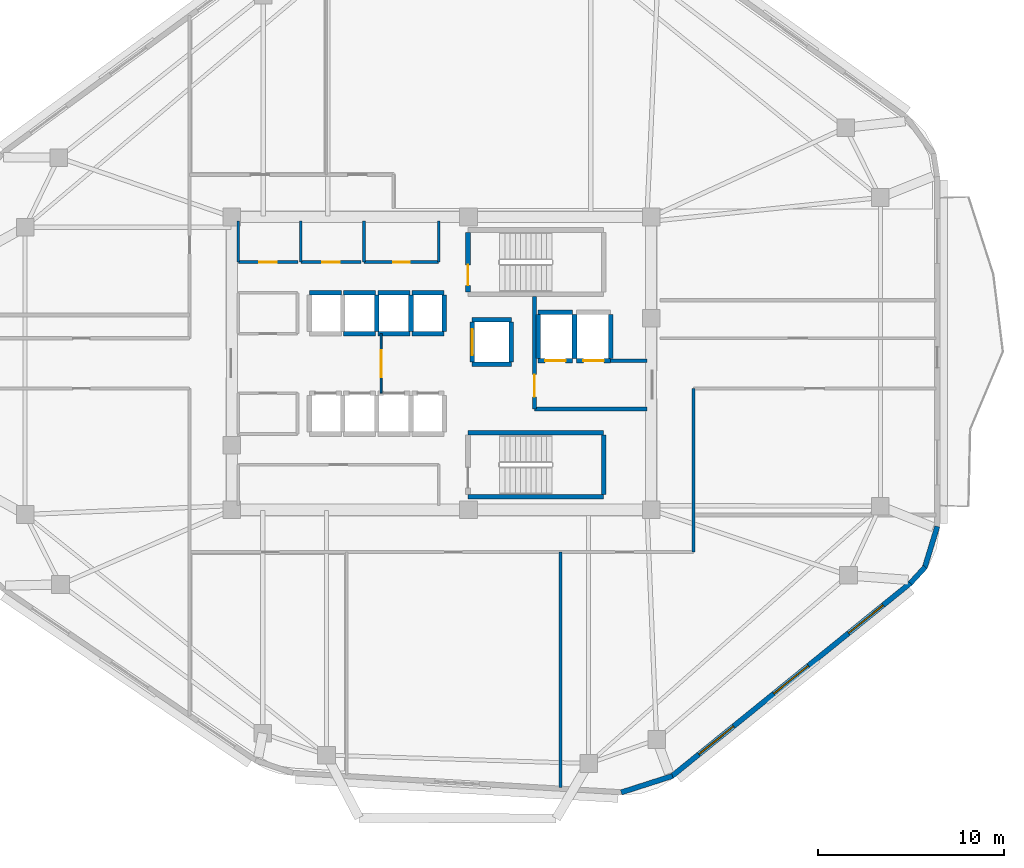
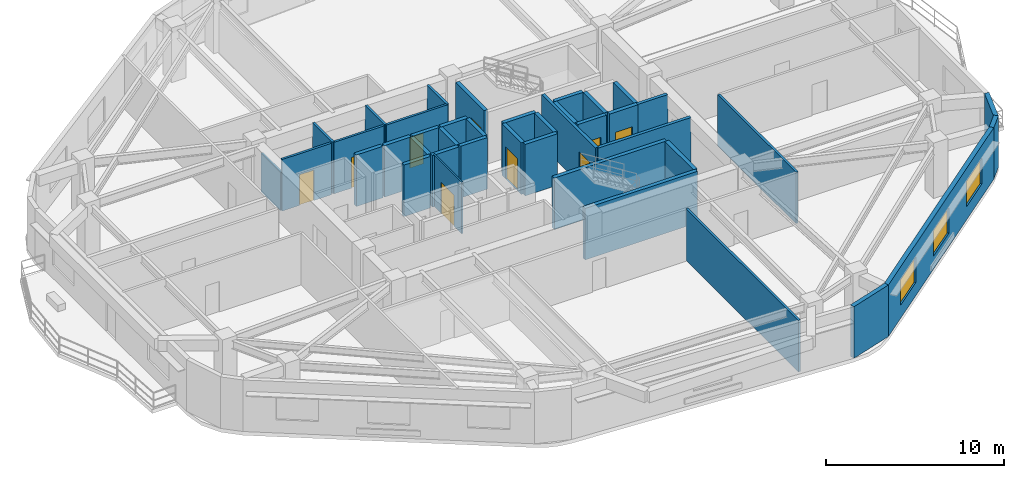
# One storey, part 4 of 9: 41 walls, 9 doors, 3 windows, 12 openings.
"""IFC4 building model written with IfcOpenShell, lengths in metres."""

from ifc_helpers import new_model, si_unit, direction, frame, frame_2d, origin, place, context, subcontext, project, spatial, rectangle, extrude, material, layer, layer_set, type_object, element, fill, save


model = new_model("IFC4")

# Units and contexts
model_context = context("Model", 3, precision=1e-05, world=origin(), true_north=direction((0.0, 1.0)))
body_context = subcontext(model_context, "Body", "Model", "MODEL_VIEW")
ifc_project = project(units=[si_unit("LENGTHUNIT", "METRE"), si_unit("AREAUNIT", "SQUARE_METRE"), si_unit("VOLUMEUNIT", "CUBIC_METRE"), si_unit("PLANEANGLEUNIT", "RADIAN"), si_unit("MASSUNIT", "GRAM", prefix="KILO")], contexts=[model_context])

# Site, building, storey
site_placement = place(None, origin())
site = spatial("IfcSite", under=ifc_project, at=site_placement, CompositionType="ELEMENT")
building_placement = place(site_placement, origin())
building = spatial("IfcBuilding", under=site, at=building_placement, Name="Zulverin Broadcast Headquarters", CompositionType="ELEMENT")
storey_placement = place(building_placement, frame((0.0, 0.0, 197.199951171875)))
storey = spatial("IfcBuildingStorey", under=building, at=storey_placement, Name="L50", CompositionType="ELEMENT", Elevation=197.199951171875)

# Wall, openings, windows
ifc_material_1 = material(Name="Insulated pale-metal clad concrete spandrel C40/50", Category="concrete")
ifc_layer_1 = layer(ifc_material_1, 0.280029296875, Name="Insulated pale-metal clad concrete spandrel C40/50", Category="concrete")
ifc_layer_set_1 = layer_set([ifc_layer_1], Name="Insulated pale-metal clad concrete spandrel C40/50")
wall_type_1 = type_object("IfcWallType", Name="WL-EXT-280", PredefinedType="STANDARD", material=ifc_layer_set_1)
wall_1_placement = place(storey_placement, frame((49.372314453125, 2.98388671875, 0.0), z_axis=(0.0, 0.0, 1.0), x_axis=(0.777278899851, 0.629156190343, 0.0)))
wall_1 = element("IfcWall", 1, at=wall_1_placement, inside=storey, type_object=wall_type_1, Name="L50 Pale-Metal Clad Spandrel Wall 2", PredefinedType="STANDARD", context=body_context, shape_type="SweptSolid", body=[
    extrude(rectangle(XDim=16.5400390625, YDim=0.280029296875, at=frame_2d((8.27001953125, 0.0))), origin(), (0.0, 0.0, 1.0), 3.5400390625),
])
opening_1_placement = place(wall_1_placement, frame((1.889892578125, 0.0, 0.89990234375)))
opening_1 = element("IfcOpeningElement", 2, at=opening_1_placement, cuts=wall_1, Name="Opening W-L50-E21", PredefinedType="OPENING", context=body_context, shape_type="SweptSolid", body=[
    extrude(rectangle(XDim=2.39990234375, YDim=1.75, at=frame_2d((1.199951171875, 0.875))), frame((0.0, 0.14990234375, 0.0), z_axis=(0.0, -1.0, 0.0), x_axis=(1.0, 0.0, 0.0)), (0.0, 0.0, 1.0), 0.300048828125),
])
opening_2_placement = place(wall_1_placement, frame((7.070068359375, 0.0, 0.89990234375)))
opening_2 = element("IfcOpeningElement", 3, at=opening_2_placement, cuts=wall_1, Name="Opening W-L50-E22", PredefinedType="OPENING", context=body_context, shape_type="SweptSolid", body=[
    extrude(rectangle(XDim=2.39990234375, YDim=1.75, at=frame_2d((1.199951171875, 0.875))), frame((0.0, 0.14990234375, 0.0), z_axis=(0.0, -1.0, 0.0), x_axis=(1.0, 0.0, 0.0)), (0.0, 0.0, 1.0), 0.300048828125),
])
opening_3_placement = place(wall_1_placement, frame((12.25, 0.0, 0.89990234375)))
opening_3 = element("IfcOpeningElement", 4, at=opening_3_placement, cuts=wall_1, Name="Opening W-L50-E23", PredefinedType="OPENING", context=body_context, shape_type="SweptSolid", body=[
    extrude(rectangle(XDim=2.39990234375, YDim=1.75, at=frame_2d((1.199951171875, 0.875))), frame((0.0, 0.14990234375, 0.0), z_axis=(0.0, -1.0, 0.0), x_axis=(1.0, 0.0, 0.0)), (0.0, 0.0, 1.0), 0.300048828125),
])
ifc_material_2 = material(Name="Pale anodized aluminium frame with solar-control low-E double glazing", Category="aluminium")
window_type = type_object("IfcWindowType", Name="WIN-RIB-2400", PartitioningType="SINGLE_PANEL", PredefinedType="WINDOW", material=ifc_material_2)
window_1_placement = place(opening_1_placement, origin())
window_1 = element("IfcWindow", 5, at=window_1_placement, inside=storey, type_object=window_type, Name="L50 Ribbon Glazing Window 2 1", OverallHeight=1.75, OverallWidth=2.39990234375, PartitioningType="SINGLE_PANEL", PredefinedType="WINDOW", context=body_context, shape_type="SweptSolid", body=[
    extrude(rectangle(XDim=2.39990234375, YDim=1.75, at=frame_2d((1.199951171875, 0.875))), frame((0.0, 0.030029296875, 0.0), z_axis=(0.0, -1.0, 0.0), x_axis=(1.0, 0.0, 0.0)), (0.0, 0.0, 1.0), 0.06005859375),
])
fill(opening_1, window_1)
window_2_placement = place(opening_2_placement, origin())
window_2 = element("IfcWindow", 6, at=window_2_placement, inside=storey, type_object=window_type, Name="L50 Ribbon Glazing Window 2 2", OverallHeight=1.75, OverallWidth=2.39990234375, PartitioningType="SINGLE_PANEL", PredefinedType="WINDOW", context=body_context, shape_type="SweptSolid", body=[
    extrude(rectangle(XDim=2.39990234375, YDim=1.75, at=frame_2d((1.199951171875, 0.875))), frame((0.0, 0.030029296875, 0.0), z_axis=(0.0, -1.0, 0.0), x_axis=(1.0, 0.0, 0.0)), (0.0, 0.0, 1.0), 0.06005859375),
])
fill(opening_2, window_2)
window_3_placement = place(opening_3_placement, origin())
window_3 = element("IfcWindow", 7, at=window_3_placement, inside=storey, type_object=window_type, Name="L50 Ribbon Glazing Window 2 3", OverallHeight=1.75, OverallWidth=2.39990234375, PartitioningType="SINGLE_PANEL", PredefinedType="WINDOW", context=body_context, shape_type="SweptSolid", body=[
    extrude(rectangle(XDim=2.39990234375, YDim=1.75, at=frame_2d((1.199951171875, 0.875))), frame((0.0, 0.030029296875, 0.0), z_axis=(0.0, -1.0, 0.0), x_axis=(1.0, 0.0, 0.0)), (0.0, 0.0, 1.0), 0.06005859375),
])
fill(opening_3, window_3)

# Walls
wall_2_placement = place(storey_placement, frame((46.666259765625, 2.124267578125, 0.0), z_axis=(0.0, 0.0, 1.0), x_axis=(0.952065470694, 0.305894327363, 0.0)))
element("IfcWall", 8, at=wall_2_placement, inside=storey, type_object=wall_type_1, Name="L50 Wind-Shaped Corner Spandrel Wall 1-1", PredefinedType="STANDARD", context=body_context, shape_type="SweptSolid", body=[
    extrude(rectangle(XDim=2.889892578125, YDim=0.280029296875, at=frame_2d((1.44482421875, 0.0))), origin(), (0.0, 0.0, 1.0), 3.5400390625),
])
wall_3_placement = place(storey_placement, frame((62.21337890625, 13.3759765625, 0.0), z_axis=(0.0, 0.0, 1.0), x_axis=(0.675790054291, 0.737094161232, 0.0)))
element("IfcWall", 9, at=wall_3_placement, inside=storey, type_object=wall_type_1, Name="L50 Wind-Shaped Corner Spandrel Wall 2-1", PredefinedType="STANDARD", context=body_context, shape_type="SweptSolid", body=[
    extrude(rectangle(XDim=1.182861328125, YDim=0.280029296875, at=frame_2d((0.59130859375, 0.0))), origin(), (0.0, 0.0, 1.0), 3.5400390625),
])
wall_4_placement = place(storey_placement, frame((62.98193359375, 14.194091796875, 0.0), z_axis=(0.0, 0.0, 1.0), x_axis=(0.292398811023, 0.956296468315, 0.0)))
element("IfcWall", 10, at=wall_4_placement, inside=storey, type_object=wall_type_1, Name="L50 Wind-Shaped Corner Spandrel Wall 2-2", PredefinedType="STANDARD", context=body_context, shape_type="SweptSolid", body=[
    extrude(rectangle(XDim=2.339599609375, YDim=0.280029296875, at=frame_2d((1.169921875, 0.0))), origin(), (0.0, 0.0, 1.0), 3.5400390625),
])

# Wall, opening, door
ifc_material_3 = material(Name="Concrete C40/50", Category="concrete")
ifc_layer_2 = layer(ifc_material_3, 0.199951171875, Name="Concrete C40/50", Category="concrete")
ifc_layer_set_2 = layer_set([ifc_layer_2], Name="Concrete C40/50")
wall_type_2 = type_object("IfcWallType", Name="WL-FFL-200", PredefinedType="SOLIDWALL", material=ifc_layer_set_2)
wall_5_placement = place(storey_placement, frame((42.0, 22.75, 0.0), z_axis=(0.0, 0.0, 1.0), x_axis=(0.0, 1.0, 0.0)))
wall_5 = element("IfcWall", 11, at=wall_5_placement, inside=storey, type_object=wall_type_2, Name="L50 Firefighting Lift Lobby West Wall", PredefinedType="SOLIDWALL", context=body_context, shape_type="SweptSolid", body=[
    extrude(rectangle(XDim=6.050048828125, YDim=0.199951171875, at=frame_2d((3.02490234375, 0.0))), origin(), (0.0, 0.0, 1.0), 3.5400390625),
])
opening_4_placement = place(wall_5_placement, frame((0.64990234375, 0.0, 0.0)))
opening_4 = element("IfcOpeningElement", 12, at=opening_4_placement, cuts=wall_5, Name="Opening D-L50-FFLW", PredefinedType="OPENING", context=body_context, shape_type="SweptSolid", body=[
    extrude(rectangle(XDim=1.199951171875, YDim=2.14990234375, at=frame_2d((0.60009765625, 1.074951171875))), frame((0.0, 0.10986328125, 0.0), z_axis=(0.0, -1.0, 0.0), x_axis=(1.0, 0.0, 0.0)), (0.0, 0.0, 1.0), 0.219970703125),
])
ifc_material_4 = material(Name="Fire-rated steel leaf and frame", Category="steel")
door_type_1 = type_object("IfcDoorType", Name="DR-FFL-1200", OperationType="SINGLE_SWING_RIGHT", PredefinedType="DOOR", material=ifc_material_4)
door_1_placement = place(opening_4_placement, origin())
door_1 = element("IfcDoor", 13, at=door_1_placement, inside=storey, type_object=door_type_1, Name="L50 Firefighting Lift Lobby Door", OperationType="SINGLE_SWING_RIGHT", OverallHeight=2.14990234375, OverallWidth=1.199951171875, PredefinedType="DOOR", context=body_context, shape_type="SweptSolid", body=[
    extrude(rectangle(XDim=1.199951171875, YDim=2.14990234375, at=frame_2d((0.60009765625, 1.074951171875))), frame((0.0, 0.02490234375, 0.0), z_axis=(0.0, -1.0, 0.0), x_axis=(1.0, 0.0, 0.0)), (0.0, 0.0, 1.0), 0.050048828125),
])
fill(opening_4, door_1)

# Walls
wall_6_placement = place(storey_placement, frame((42.0, 22.75, 0.0), z_axis=(0.0, 0.0, 1.0), x_axis=(1.0, 0.0, 0.0)))
element("IfcWall", 14, at=wall_6_placement, inside=storey, type_object=wall_type_2, Name="L50 Firefighting Lift Lobby South Wall", PredefinedType="SOLIDWALL", context=body_context, shape_type="SweptSolid", body=[
    extrude(rectangle(XDim=6.050048828125, YDim=0.199951171875, at=frame_2d((3.02490234375, 0.0))), origin(), (0.0, 0.0, 1.0), 3.5400390625),
])
wall_7_placement = place(storey_placement, frame((46.10009765625, 25.35009765625, 0.0), z_axis=(0.0, 0.0, 1.0), x_axis=(1.0, 0.0, 0.0)))
element("IfcWall", 15, at=wall_7_placement, inside=storey, type_object=wall_type_2, Name="L50 Firefighting Lift Lobby North Wall", PredefinedType="SOLIDWALL", context=body_context, shape_type="SweptSolid", body=[
    extrude(rectangle(XDim=1.949951171875, YDim=0.199951171875, at=frame_2d((0.97509765625, 0.0))), origin(), (0.0, 0.0, 1.0), 3.5400390625),
])

# Wall, opening, door
ifc_material_5 = material(Name="Fire-rated acoustic laminated glass screen", Category="glass")
ifc_layer_3 = layer(ifc_material_5, 0.10009765625, Name="Fire-rated acoustic laminated glass screen", Category="glass")
ifc_layer_set_3 = layer_set([ifc_layer_3], Name="Fire-rated acoustic laminated glass screen")
wall_type_3 = type_object("IfcWallType", Name="WL-GLAZ-100", PredefinedType="PARTITIONING", material=ifc_layer_set_3)
wall_8_placement = place(storey_placement, frame((33.75, 23.60009765625, 0.0), z_axis=(0.0, 0.0, 1.0), x_axis=(0.0, 1.0, 0.0)))
wall_8 = element("IfcWall", 16, at=wall_8_placement, inside=storey, type_object=wall_type_3, Name="L50 Core Lobby Acoustic Screen", PredefinedType="PARTITIONING", context=body_context, shape_type="SweptSolid", body=[
    extrude(rectangle(XDim=3.199951171875, YDim=0.10009765625, at=frame_2d((1.60009765625, 0.0))), origin(), (0.0, 0.0, 1.0), 3.5400390625),
])
opening_5_placement = place(wall_8_placement, frame((0.85009765625, 0.0, 0.0)))
opening_5 = element("IfcOpeningElement", 17, at=opening_5_placement, cuts=wall_8, Name="Opening D-L50-CL1", PredefinedType="OPENING", context=body_context, shape_type="SweptSolid", body=[
    extrude(rectangle(XDim=1.449951171875, YDim=2.1201171875, at=frame_2d((0.72509765625, 1.06005859375))), frame((0.0, 0.06005859375, 0.0), z_axis=(0.0, -1.0, 0.0), x_axis=(1.0, 0.0, 0.0)), (0.0, 0.0, 1.0), 0.1201171875),
])
ifc_material_6 = material(Name="Fire-rated acoustic glazed double leaf", Category="glass")
door_type_2 = type_object("IfcDoorType", Name="DR-GLZ-1450", OperationType="DOUBLE_DOOR_SINGLE_SWING", PredefinedType="DOOR", material=ifc_material_6)
door_2_placement = place(opening_5_placement, origin())
door_2 = element("IfcDoor", 18, at=door_2_placement, inside=storey, type_object=door_type_2, Name="L50 Core Lobby Vestibule Door", OperationType="DOUBLE_DOOR_SINGLE_SWING", OverallHeight=2.1201171875, OverallWidth=1.449951171875, PredefinedType="DOOR", context=body_context, shape_type="SweptSolid", body=[
    extrude(rectangle(XDim=1.449951171875, YDim=2.1201171875, at=frame_2d((0.72509765625, 1.06005859375))), frame((0.0, 0.02490234375, 0.0), z_axis=(0.0, -1.0, 0.0), x_axis=(1.0, 0.0, 0.0)), (0.0, 0.0, 1.0), 0.050048828125),
])
fill(opening_5, door_2)

ifc_material_7 = material(Name="Fire-rated gypsum stud partition", Category="gypsum")
ifc_layer_4 = layer(ifc_material_7, 0.14990234375, Name="Fire-rated gypsum stud partition", Category="gypsum")
ifc_layer_set_4 = layer_set([ifc_layer_4], Name="Fire-rated gypsum stud partition")
wall_type_4 = type_object("IfcWallType", Name="WL-PART-150", PredefinedType="PARTITIONING", material=ifc_layer_set_4)
wall_9_placement = place(storey_placement, frame((26.070068359375, 30.64990234375, 0.0), z_axis=(0.0, 0.0, 1.0), x_axis=(1.0, 0.0, 0.0)))
wall_9 = element("IfcWall", 19, at=wall_9_placement, inside=storey, type_object=wall_type_4, Name="L50 Core Accessible WC Front Wall", PredefinedType="PARTITIONING", context=body_context, shape_type="SweptSolid", body=[
    extrude(rectangle(XDim=3.199951171875, YDim=0.14990234375, at=frame_2d((1.60009765625, 0.0))), origin(), (0.0, 0.0, 1.0), 3.5400390625),
])
opening_6_placement = place(wall_9_placement, frame((1.125, 0.0, 0.0)))
opening_6 = element("IfcOpeningElement", 20, at=opening_6_placement, cuts=wall_9, Name="Opening D-L50-NC1", PredefinedType="OPENING", context=body_context, shape_type="SweptSolid", body=[
    extrude(rectangle(XDim=0.949951171875, YDim=2.10009765625, at=frame_2d((0.47509765625, 1.050048828125))), frame((0.0, 0.0849609375, 0.0), z_axis=(0.0, -1.0, 0.0), x_axis=(1.0, 0.0, 0.0)), (0.0, 0.0, 1.0), 0.169921875),
])
ifc_material_8 = material(Name="Fire-rated moisture-resistant laminate leaf", Category="wood")
door_type_3 = type_object("IfcDoorType", Name="DR-WC-950", OperationType="SINGLE_SWING_LEFT", PredefinedType="DOOR", material=ifc_material_8)
door_3_placement = place(opening_6_placement, origin())
door_3 = element("IfcDoor", 21, at=door_3_placement, inside=storey, type_object=door_type_3, Name="L50 Accessible WC Door", OperationType="SINGLE_SWING_LEFT", OverallHeight=2.10009765625, OverallWidth=0.949951171875, PredefinedType="DOOR", context=body_context, shape_type="SweptSolid", body=[
    extrude(rectangle(XDim=0.949951171875, YDim=2.10009765625, at=frame_2d((0.47509765625, 1.050048828125))), frame((0.0, 0.02490234375, 0.0), z_axis=(0.0, -1.0, 0.0), x_axis=(1.0, 0.0, 0.0)), (0.0, 0.0, 1.0), 0.050048828125),
])
fill(opening_6, door_3)

# Wall
wall_10_placement = place(storey_placement, frame((26.070068359375, 30.64990234375, 0.0), z_axis=(0.0, 0.0, 1.0), x_axis=(0.0, 1.0, 0.0)))
element("IfcWall", 22, at=wall_10_placement, inside=storey, type_object=wall_type_4, Name="L50 Core Accessible WC West Wall", PredefinedType="PARTITIONING", context=body_context, shape_type="SweptSolid", body=[
    extrude(rectangle(XDim=2.2001953125, YDim=0.14990234375, at=frame_2d((1.10009765625, 0.0))), origin(), (0.0, 0.0, 1.0), 2.64013671875),
])

# Wall, opening, door
wall_11_placement = place(storey_placement, frame((29.429931640625, 30.64990234375, 0.0), z_axis=(0.0, 0.0, 1.0), x_axis=(1.0, 0.0, 0.0)))
wall_11 = element("IfcWall", 23, at=wall_11_placement, inside=storey, type_object=wall_type_4, Name="L50 Core Male WC Front Wall", PredefinedType="PARTITIONING", context=body_context, shape_type="SweptSolid", body=[
    extrude(rectangle(XDim=3.239990234375, YDim=0.14990234375, at=frame_2d((1.6201171875, 0.0))), origin(), (0.0, 0.0, 1.0), 3.5400390625),
])
opening_7_placement = place(wall_11_placement, frame((1.14501953125, 0.0, 0.0)))
opening_7 = element("IfcOpeningElement", 24, at=opening_7_placement, cuts=wall_11, Name="Opening D-L50-NC2", PredefinedType="OPENING", context=body_context, shape_type="SweptSolid", body=[
    extrude(rectangle(XDim=0.949951171875, YDim=2.10009765625, at=frame_2d((0.47509765625, 1.050048828125))), frame((0.0, 0.0849609375, 0.0), z_axis=(0.0, -1.0, 0.0), x_axis=(1.0, 0.0, 0.0)), (0.0, 0.0, 1.0), 0.169921875),
])
door_4_placement = place(opening_7_placement, origin())
door_4 = element("IfcDoor", 25, at=door_4_placement, inside=storey, type_object=door_type_3, Name="L50 Male WC Door", OperationType="SINGLE_SWING_RIGHT", OverallHeight=2.10009765625, OverallWidth=0.949951171875, PredefinedType="DOOR", context=body_context, shape_type="SweptSolid", body=[
    extrude(rectangle(XDim=0.949951171875, YDim=2.10009765625, at=frame_2d((0.47509765625, 1.050048828125))), frame((0.0, 0.02490234375, 0.0), z_axis=(0.0, -1.0, 0.0), x_axis=(1.0, 0.0, 0.0)), (0.0, 0.0, 1.0), 0.050048828125),
])
fill(opening_7, door_4)

# Wall
wall_12_placement = place(storey_placement, frame((29.429931640625, 30.64990234375, 0.0), z_axis=(0.0, 0.0, 1.0), x_axis=(0.0, 1.0, 0.0)))
element("IfcWall", 26, at=wall_12_placement, inside=storey, type_object=wall_type_4, Name="L50 Core Male WC West Wall", PredefinedType="PARTITIONING", context=body_context, shape_type="SweptSolid", body=[
    extrude(rectangle(XDim=2.2001953125, YDim=0.14990234375, at=frame_2d((1.10009765625, 0.0))), origin(), (0.0, 0.0, 1.0), 3.5400390625),
])

# Wall, opening, door
wall_13_placement = place(storey_placement, frame((32.830078125, 30.64990234375, 0.0), z_axis=(0.0, 0.0, 1.0), x_axis=(1.0, 0.0, 0.0)))
wall_13 = element("IfcWall", 27, at=wall_13_placement, inside=storey, type_object=wall_type_4, Name="L50 Core Electrical Switch Riser Front Wall", PredefinedType="PARTITIONING", context=body_context, shape_type="SweptSolid", body=[
    extrude(rectangle(XDim=4.02001953125, YDim=0.14990234375, at=frame_2d((2.010009765625, 0.0))), origin(), (0.0, 0.0, 1.0), 3.5400390625),
])
opening_8_placement = place(wall_13_placement, frame((1.56005859375, 0.0, 0.0)))
opening_8 = element("IfcOpeningElement", 28, at=opening_8_placement, cuts=wall_13, Name="Opening D-L50-NC3", PredefinedType="OPENING", context=body_context, shape_type="SweptSolid", body=[
    extrude(rectangle(XDim=0.89990234375, YDim=2.10009765625, at=frame_2d((0.449951171875, 1.050048828125))), frame((0.0, 0.0849609375, 0.0), z_axis=(0.0, -1.0, 0.0), x_axis=(1.0, 0.0, 0.0)), (0.0, 0.0, 1.0), 0.169921875),
])
ifc_material_9 = material(Name="Powder-coated steel access leaf", Category="steel")
door_type_4 = type_object("IfcDoorType", Name="DR-RISER-900", OperationType="SINGLE_SWING_LEFT", PredefinedType="DOOR", material=ifc_material_9)
door_5_placement = place(opening_8_placement, origin())
door_5 = element("IfcDoor", 29, at=door_5_placement, inside=storey, type_object=door_type_4, Name="L50 Electrical Switch Riser Door", OperationType="SINGLE_SWING_LEFT", OverallHeight=2.10009765625, OverallWidth=0.89990234375, PredefinedType="DOOR", context=body_context, shape_type="SweptSolid", body=[
    extrude(rectangle(XDim=0.89990234375, YDim=2.10009765625, at=frame_2d((0.449951171875, 1.050048828125))), frame((0.0, 0.02490234375, 0.0), z_axis=(0.0, -1.0, 0.0), x_axis=(1.0, 0.0, 0.0)), (0.0, 0.0, 1.0), 0.050048828125),
])
fill(opening_8, door_5)

# Walls
for number, where, z_axis, x_axis, name in (
    (30, (32.830078125, 30.64990234375, 0.0), (0.0, 0.0, 1.0), (0.0, 1.0, 0.0), "L50 Core Electrical Switch Riser West Wall"),
    (31, (36.85009765625, 30.64990234375, 0.0), (0.0, 0.0, 1.0), (0.0, 1.0, 0.0), "L50 Core Electrical Switch Riser East Wall"),
):
    element("IfcWall", number, at=place(storey_placement, frame(where, z_axis=z_axis, x_axis=x_axis)), inside=storey, type_object=wall_type_4, Name=name, PredefinedType="PARTITIONING", context=body_context, shape_type="SweptSolid", body=[
        extrude(rectangle(XDim=2.2001953125, YDim=0.14990234375, at=frame_2d((1.10009765625, 0.0))), origin(), (0.0, 0.0, 1.0), 3.5400390625),
    ])
wall_14_placement = place(storey_placement, frame((50.550048828125, 15.050048828125, 0.0), z_axis=(0.0, 0.0, 1.0), x_axis=(0.0, 1.0, 0.0)))
element("IfcWall", 32, at=wall_14_placement, inside=storey, type_object=wall_type_4, Name="L50 Gallery Partition Wall CG-01", PredefinedType="PARTITIONING", context=body_context, shape_type="SweptSolid", body=[
    extrude(rectangle(XDim=8.800048828125, YDim=0.14990234375, at=frame_2d((4.39990234375, 0.0))), origin(), (0.0, 0.0, 1.0), 3.5400390625),
])
wall_15_placement = place(storey_placement, frame((43.39990234375, 2.390625, 0.0), z_axis=(0.0, 0.0, 1.0), x_axis=(0.0, 1.0, 0.0)))
element("IfcWall", 33, at=wall_15_placement, inside=storey, type_object=wall_type_4, Name="L50 Room Partition Wall RP-02", PredefinedType="PARTITIONING", context=body_context, shape_type="SweptSolid", body=[
    extrude(rectangle(XDim=12.659423828125, YDim=0.14990234375, at=frame_2d((6.32958984375, 0.0))), origin(), (0.0, 0.0, 1.0), 3.5400390625),
])

# Wall, opening, door
ifc_material_10 = material(Name="Concrete C50/60", Category="concrete")
ifc_layer_5 = layer(ifc_material_10, 0.25, Name="Concrete C50/60", Category="concrete")
ifc_layer_set_5 = layer_set([ifc_layer_5], Name="Concrete C50/60")
wall_type_5 = type_object("IfcWallType", Name="WL-SHAFT-250", PredefinedType="SHEAR", material=ifc_layer_set_5)
wall_16_placement = place(storey_placement, frame((38.425048828125, 29.050048828125, 0.0), z_axis=(0.0, 0.0, 1.0), x_axis=(0.0, 1.0, 0.0)))
wall_16 = element("IfcWall", 34, at=wall_16_placement, inside=storey, type_object=wall_type_5, Name="L50 ST-1 Enclosure Wall W", PredefinedType="SHEAR", context=body_context, shape_type="SweptSolid", body=[
    extrude(rectangle(XDim=3.199951171875, YDim=0.25, at=frame_2d((1.60009765625, 0.0))), origin(), (0.0, 0.0, 1.0), 3.5400390625),
])
opening_9_placement = place(wall_16_placement, frame((0.35009765625, 0.0, 0.0)))
opening_9 = element("IfcOpeningElement", 35, at=opening_9_placement, cuts=wall_16, Name="Opening D-L50-ST-1", PredefinedType="OPENING", context=body_context, shape_type="SweptSolid", body=[
    extrude(rectangle(XDim=1.10009765625, YDim=2.14990234375, at=frame_2d((0.550048828125, 1.074951171875))), frame((0.0, 0.135009765625, 0.0), z_axis=(0.0, -1.0, 0.0), x_axis=(1.0, 0.0, 0.0)), (0.0, 0.0, 1.0), 0.27001953125),
])
door_type_5 = type_object("IfcDoorType", Name="DR-STAIR-1100", OperationType="SINGLE_SWING_LEFT", PredefinedType="DOOR", material=ifc_material_4)
door_6_placement = place(opening_9_placement, origin())
door_6 = element("IfcDoor", 36, at=door_6_placement, inside=storey, type_object=door_type_5, Name="L50 Exit Stair ST-1 Fire Door", OperationType="SINGLE_SWING_LEFT", OverallHeight=2.14990234375, OverallWidth=1.10009765625, PredefinedType="DOOR", context=body_context, shape_type="SweptSolid", body=[
    extrude(rectangle(XDim=1.10009765625, YDim=2.14990234375, at=frame_2d((0.550048828125, 1.074951171875))), frame((0.0, 0.02490234375, 0.0), z_axis=(0.0, -1.0, 0.0), x_axis=(1.0, 0.0, 0.0)), (0.0, 0.0, 1.0), 0.050048828125),
])
fill(opening_9, door_6)

# Walls
for number, where, z_axis, x_axis, name in (
    (37, (38.425048828125, 18.02490234375, 0.0), (0.0, 0.0, 1.0), (1.0, 0.0, 0.0), "L50 ST-2 Enclosure Wall S"),
    (38, (38.425048828125, 21.47509765625, 0.0), (0.0, 0.0, 1.0), (1.0, 0.0, 0.0), "L50 ST-2 Enclosure Wall N"),
):
    element("IfcWall", number, at=place(storey_placement, frame(where, z_axis=z_axis, x_axis=x_axis)), inside=storey, type_object=wall_type_5, Name=name, PredefinedType="SHEAR", context=body_context, shape_type="SweptSolid", body=[
        extrude(rectangle(XDim=7.300048828125, YDim=0.25, at=frame_2d((3.64990234375, 0.0))), origin(), (0.0, 0.0, 1.0), 3.5400390625),
    ])
wall_17_placement = place(storey_placement, frame((45.72509765625, 18.14990234375, 0.0), z_axis=(0.0, 0.0, 1.0), x_axis=(0.0, 1.0, 0.0)))
element("IfcWall", 39, at=wall_17_placement, inside=storey, type_object=wall_type_5, Name="L50 ST-2 Enclosure Wall E", PredefinedType="SHEAR", context=body_context, shape_type="SweptSolid", body=[
    extrude(rectangle(XDim=3.2001953125, YDim=0.25, at=frame_2d((1.60009765625, 0.0))), origin(), (0.0, 0.0, 1.0), 3.5400390625),
])
wall_18_placement = place(storey_placement, frame((29.89990234375, 29.0, 0.0), z_axis=(0.0, 0.0, 1.0), x_axis=(1.0, 0.0, 0.0)))
element("IfcWall", 40, at=wall_18_placement, inside=storey, type_object=wall_type_5, Name="L50 Lift PL-H1 Shaft Wall N", PredefinedType="SHEAR", context=body_context, shape_type="SweptSolid", body=[
    extrude(rectangle(XDim=1.72021484375, YDim=0.25, at=frame_2d((0.860107421875, 0.0))), origin(), (0.0, 0.0, 1.0), 3.5400390625),
])
for number, where, z_axis, x_axis, name in (
    (41, (31.739990234375, 26.800048828125, 0.0), (0.0, 0.0, 1.0), (1.0, 0.0, 0.0), "L50 Lift PL-H2 Shaft Wall S"),
    (42, (31.739990234375, 29.0, 0.0), (0.0, 0.0, 1.0), (1.0, 0.0, 0.0), "L50 Lift PL-H2 Shaft Wall N"),
):
    element("IfcWall", number, at=place(storey_placement, frame(where, z_axis=z_axis, x_axis=x_axis)), inside=storey, type_object=wall_type_5, Name=name, PredefinedType="SHEAR", context=body_context, shape_type="SweptSolid", body=[
        extrude(rectangle(XDim=1.719970703125, YDim=0.25, at=frame_2d((0.85986328125, 0.0))), origin(), (0.0, 0.0, 1.0), 3.5400390625),
    ])
wall_19_placement = place(storey_placement, frame((33.52001953125, 26.919921875, 0.0), z_axis=(0.0, 0.0, 1.0), x_axis=(0.0, 1.0, 0.0)))
element("IfcWall", 43, at=wall_19_placement, inside=storey, type_object=wall_type_5, Name="L50 Lift PL-H2 Shaft Wall E", PredefinedType="SHEAR", context=body_context, shape_type="SweptSolid", body=[
    extrude(rectangle(XDim=1.9599609375, YDim=0.25, at=frame_2d((0.97998046875, 0.0))), origin(), (0.0, 0.0, 1.0), 3.5400390625),
])
for number, where, z_axis, x_axis, name in (
    (44, (33.580078125, 26.800048828125, 0.0), (0.0, 0.0, 1.0), (1.0, 0.0, 0.0), "L50 Lift PL-H3 Shaft Wall S"),
    (45, (33.580078125, 29.0, 0.0), (0.0, 0.0, 1.0), (1.0, 0.0, 0.0), "L50 Lift PL-H3 Shaft Wall N"),
):
    element("IfcWall", number, at=place(storey_placement, frame(where, z_axis=z_axis, x_axis=x_axis)), inside=storey, type_object=wall_type_5, Name=name, PredefinedType="SHEAR", context=body_context, shape_type="SweptSolid", body=[
        extrude(rectangle(XDim=1.719970703125, YDim=0.25, at=frame_2d((0.85986328125, 0.0))), origin(), (0.0, 0.0, 1.0), 3.5400390625),
    ])
wall_20_placement = place(storey_placement, frame((35.360107421875, 26.919921875, 0.0), z_axis=(0.0, 0.0, 1.0), x_axis=(0.0, 1.0, 0.0)))
element("IfcWall", 46, at=wall_20_placement, inside=storey, type_object=wall_type_5, Name="L50 Lift PL-H3 Shaft Wall E", PredefinedType="SHEAR", context=body_context, shape_type="SweptSolid", body=[
    extrude(rectangle(XDim=1.9599609375, YDim=0.25, at=frame_2d((0.97998046875, 0.0))), origin(), (0.0, 0.0, 1.0), 3.5400390625),
])
for number, where, z_axis, x_axis, name in (
    (47, (35.419921875, 26.800048828125, 0.0), (0.0, 0.0, 1.0), (1.0, 0.0, 0.0), "L50 Lift PL-H4 Shaft Wall S"),
    (48, (35.419921875, 29.0, 0.0), (0.0, 0.0, 1.0), (1.0, 0.0, 0.0), "L50 Lift PL-H4 Shaft Wall N"),
):
    element("IfcWall", number, at=place(storey_placement, frame(where, z_axis=z_axis, x_axis=x_axis)), inside=storey, type_object=wall_type_5, Name=name, PredefinedType="SHEAR", context=body_context, shape_type="SweptSolid", body=[
        extrude(rectangle(XDim=1.719970703125, YDim=0.25, at=frame_2d((0.85986328125, 0.0))), origin(), (0.0, 0.0, 1.0), 3.5400390625),
    ])
wall_21_placement = place(storey_placement, frame((37.139892578125, 26.919921875, 0.0), z_axis=(0.0, 0.0, 1.0), x_axis=(0.0, 1.0, 0.0)))
element("IfcWall", 49, at=wall_21_placement, inside=storey, type_object=wall_type_5, Name="L50 Lift PL-H4 Shaft Wall E", PredefinedType="SHEAR", context=body_context, shape_type="SweptSolid", body=[
    extrude(rectangle(XDim=1.9599609375, YDim=0.25, at=frame_2d((0.97998046875, 0.0))), origin(), (0.0, 0.0, 1.0), 3.5400390625),
])

# Wall, opening, door
wall_22_placement = place(storey_placement, frame((42.199951171875, 25.35009765625, 0.0), z_axis=(0.0, 0.0, 1.0), x_axis=(1.0, 0.0, 0.0)))
wall_22 = element("IfcWall", 50, at=wall_22_placement, inside=storey, type_object=wall_type_5, Name="L50 Lift FFL-1 Shaft Wall S", PredefinedType="SHEAR", context=body_context, shape_type="SweptSolid", body=[
    extrude(rectangle(XDim=1.85009765625, YDim=0.25, at=frame_2d((0.925048828125, 0.0))), origin(), (0.0, 0.0, 1.0), 3.5400390625),
])
opening_10_placement = place(wall_22_placement, frame((0.375, 0.0, 0.0)))
opening_10 = element("IfcOpeningElement", 51, at=opening_10_placement, cuts=wall_22, Name="Opening LD-FFL-1-L50", PredefinedType="OPENING", context=body_context, shape_type="SweptSolid", body=[
    extrude(rectangle(XDim=1.10009765625, YDim=2.14990234375, at=frame_2d((0.550048828125, 1.074951171875))), frame((0.0, 0.135009765625, 0.0), z_axis=(0.0, -1.0, 0.0), x_axis=(1.0, 0.0, 0.0)), (0.0, 0.0, 1.0), 0.27001953125),
])
ifc_material_11 = material(Name="Fire-rated stainless landing door", Category="steel")
door_type_6 = type_object("IfcDoorType", Name="LD-FFL-1100", OperationType="DOUBLE_DOOR_SLIDING", PredefinedType="DOOR", material=ifc_material_11)
door_7_placement = place(opening_10_placement, origin())
door_7 = element("IfcDoor", 52, at=door_7_placement, inside=storey, type_object=door_type_6, Name="L50 Lift FFL-1 Sliding Landing Door", OperationType="DOUBLE_DOOR_SLIDING", OverallHeight=2.14990234375, OverallWidth=1.10009765625, PredefinedType="DOOR", context=body_context, shape_type="SweptSolid", body=[
    extrude(rectangle(XDim=1.10009765625, YDim=2.14990234375, at=frame_2d((0.550048828125, 1.074951171875))), frame((0.0, 0.02490234375, 0.0), z_axis=(0.0, -1.0, 0.0), x_axis=(1.0, 0.0, 0.0)), (0.0, 0.0, 1.0), 0.050048828125),
])
fill(opening_10, door_7)

# Walls
wall_23_placement = place(storey_placement, frame((42.199951171875, 27.949951171875, 0.0), z_axis=(0.0, 0.0, 1.0), x_axis=(1.0, 0.0, 0.0)))
element("IfcWall", 53, at=wall_23_placement, inside=storey, type_object=wall_type_5, Name="L50 Lift FFL-1 Shaft Wall N", PredefinedType="SHEAR", context=body_context, shape_type="SweptSolid", body=[
    extrude(rectangle(XDim=1.85009765625, YDim=0.25, at=frame_2d((0.925048828125, 0.0))), origin(), (0.0, 0.0, 1.0), 3.5400390625),
])
for number, where, z_axis, x_axis, name in (
    (54, (42.199951171875, 25.469970703125, 0.0), (0.0, 0.0, 1.0), (0.0, 1.0, 0.0), "L50 Lift FFL-1 Shaft Wall W"),
    (55, (44.14990234375, 25.469970703125, 0.0), (0.0, 0.0, 1.0), (0.0, 1.0, 0.0), "L50 Lift FFL-1 Shaft Wall E"),
):
    element("IfcWall", number, at=place(storey_placement, frame(where, z_axis=z_axis, x_axis=x_axis)), inside=storey, type_object=wall_type_5, Name=name, PredefinedType="SHEAR", context=body_context, shape_type="SweptSolid", body=[
        extrude(rectangle(XDim=2.360107421875, YDim=0.25, at=frame_2d((1.18017578125, 0.0))), origin(), (0.0, 0.0, 1.0), 3.5400390625),
    ])

# Wall, opening, door
wall_24_placement = place(storey_placement, frame((44.25, 25.35009765625, 0.0), z_axis=(0.0, 0.0, 1.0), x_axis=(1.0, 0.0, 0.0)))
wall_24 = element("IfcWall", 56, at=wall_24_placement, inside=storey, type_object=wall_type_5, Name="L50 Lift FFL-2 Shaft Wall S", PredefinedType="SHEAR", context=body_context, shape_type="SweptSolid", body=[
    extrude(rectangle(XDim=1.85009765625, YDim=0.25, at=frame_2d((0.925048828125, 0.0))), origin(), (0.0, 0.0, 1.0), 3.5400390625),
])
opening_11_placement = place(wall_24_placement, frame((0.375, 0.0, 0.0)))
opening_11 = element("IfcOpeningElement", 57, at=opening_11_placement, cuts=wall_24, Name="Opening LD-FFL-2-L50", PredefinedType="OPENING", context=body_context, shape_type="SweptSolid", body=[
    extrude(rectangle(XDim=1.10009765625, YDim=2.14990234375, at=frame_2d((0.550048828125, 1.074951171875))), frame((0.0, 0.135009765625, 0.0), z_axis=(0.0, -1.0, 0.0), x_axis=(1.0, 0.0, 0.0)), (0.0, 0.0, 1.0), 0.27001953125),
])
door_8_placement = place(opening_11_placement, origin())
door_8 = element("IfcDoor", 58, at=door_8_placement, inside=storey, type_object=door_type_6, Name="L50 Lift FFL-2 Sliding Landing Door", OperationType="DOUBLE_DOOR_SLIDING", OverallHeight=2.14990234375, OverallWidth=1.10009765625, PredefinedType="DOOR", context=body_context, shape_type="SweptSolid", body=[
    extrude(rectangle(XDim=1.10009765625, YDim=2.14990234375, at=frame_2d((0.550048828125, 1.074951171875))), frame((0.0, 0.02490234375, 0.0), z_axis=(0.0, -1.0, 0.0), x_axis=(1.0, 0.0, 0.0)), (0.0, 0.0, 1.0), 0.050048828125),
])
fill(opening_11, door_8)

# Walls
wall_25_placement = place(storey_placement, frame((46.10009765625, 25.469970703125, 0.0), z_axis=(0.0, 0.0, 1.0), x_axis=(0.0, 1.0, 0.0)))
element("IfcWall", 59, at=wall_25_placement, inside=storey, type_object=wall_type_5, Name="L50 Lift FFL-2 Shaft Wall E", PredefinedType="SHEAR", context=body_context, shape_type="SweptSolid", body=[
    extrude(rectangle(XDim=2.360107421875, YDim=0.25, at=frame_2d((1.18017578125, 0.0))), origin(), (0.0, 0.0, 1.0), 3.5400390625),
])
for number, where, z_axis, x_axis, name in (
    (60, (38.64990234375, 25.14990234375, 0.0), (0.0, 0.0, 1.0), (1.0, 0.0, 0.0), "L50 Lift SVL-1 Shaft Wall S"),
    (61, (38.64990234375, 27.550048828125, 0.0), (0.0, 0.0, 1.0), (1.0, 0.0, 0.0), "L50 Lift SVL-1 Shaft Wall N"),
):
    element("IfcWall", number, at=place(storey_placement, frame(where, z_axis=z_axis, x_axis=x_axis)), inside=storey, type_object=wall_type_5, Name=name, PredefinedType="SHEAR", context=body_context, shape_type="SweptSolid", body=[
        extrude(rectangle(XDim=2.10009765625, YDim=0.25, at=frame_2d((1.050048828125, 0.0))), origin(), (0.0, 0.0, 1.0), 3.5400390625),
    ])

# Wall, opening, door
wall_26_placement = place(storey_placement, frame((38.64990234375, 25.27001953125, 0.0), z_axis=(0.0, 0.0, 1.0), x_axis=(0.0, 1.0, 0.0)))
wall_26 = element("IfcWall", 62, at=wall_26_placement, inside=storey, type_object=wall_type_5, Name="L50 Lift SVL-1 Shaft Wall W", PredefinedType="SHEAR", context=body_context, shape_type="SweptSolid", body=[
    extrude(rectangle(XDim=2.159912109375, YDim=0.25, at=frame_2d((1.080078125, 0.0))), origin(), (0.0, 0.0, 1.0), 3.5400390625),
])
opening_12_placement = place(wall_26_placement, frame((0.3798828125, 0.0, 0.0)))
opening_12 = element("IfcOpeningElement", 63, at=opening_12_placement, cuts=wall_26, Name="Opening LD-SVL-1-L50", PredefinedType="OPENING", context=body_context, shape_type="SweptSolid", body=[
    extrude(rectangle(XDim=1.39990234375, YDim=2.199951171875, at=frame_2d((0.699951171875, 1.10009765625))), frame((0.0, 0.135009765625, 0.0), z_axis=(0.0, -1.0, 0.0), x_axis=(1.0, 0.0, 0.0)), (0.0, 0.0, 1.0), 0.27001953125),
])
ifc_material_12 = material(Name="Heavy-duty stainless landing door", Category="steel")
door_type_7 = type_object("IfcDoorType", Name="LD-GOODS-1400", OperationType="DOUBLE_DOOR_SLIDING", PredefinedType="DOOR", material=ifc_material_12)
door_9_placement = place(opening_12_placement, origin())
door_9 = element("IfcDoor", 64, at=door_9_placement, inside=storey, type_object=door_type_7, Name="L50 Lift SVL-1 Sliding Landing Door", OperationType="DOUBLE_DOOR_SLIDING", OverallHeight=2.199951171875, OverallWidth=1.39990234375, PredefinedType="DOOR", context=body_context, shape_type="SweptSolid", body=[
    extrude(rectangle(XDim=1.39990234375, YDim=2.199951171875, at=frame_2d((0.699951171875, 1.10009765625))), frame((0.0, 0.02490234375, 0.0), z_axis=(0.0, -1.0, 0.0), x_axis=(1.0, 0.0, 0.0)), (0.0, 0.0, 1.0), 0.050048828125),
])
fill(opening_12, door_9)

# Wall
wall_27_placement = place(storey_placement, frame((40.75, 25.27001953125, 0.0), z_axis=(0.0, 0.0, 1.0), x_axis=(0.0, 1.0, 0.0)))
element("IfcWall", 65, at=wall_27_placement, inside=storey, type_object=wall_type_5, Name="L50 Lift SVL-1 Shaft Wall E", PredefinedType="SHEAR", context=body_context, shape_type="SweptSolid", body=[
    extrude(rectangle(XDim=2.159912109375, YDim=0.25, at=frame_2d((1.080078125, 0.0))), origin(), (0.0, 0.0, 1.0), 3.5400390625),
])

save(model, "model.ifc")
